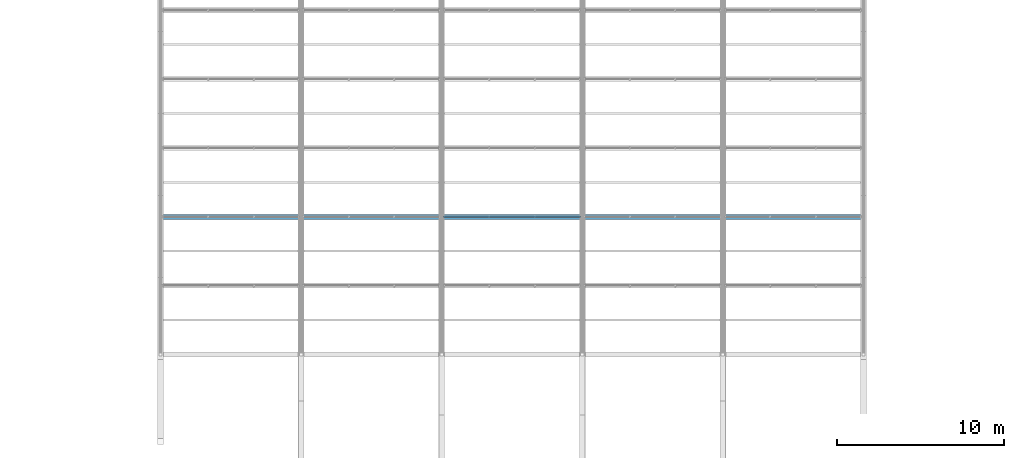
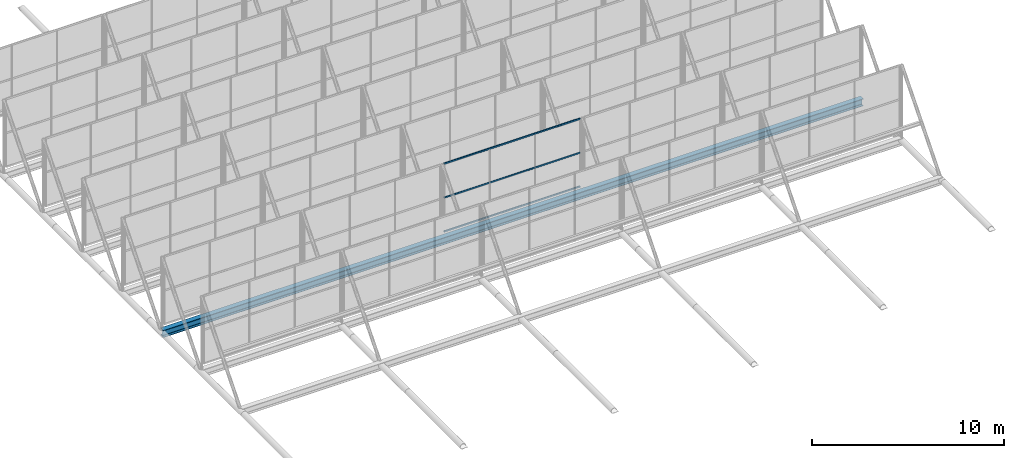
# One storey, part 12 of 77: 3 members, 1 beam, 1 element without a shape of its own.
"""IFC4 building model written with IfcOpenShell, lengths in metres."""

from ifc_helpers import new_model, si_unit, derived_unit, direction, frame, origin, origin_2d, place, context, subcontext, project, spatial, hollow_rectangle, i_section, extrude, material, material_profile, profile_set, type_object, element, aggregate, save


model = new_model("IFC4")

# Units and contexts
model_context = context("Model", 3, precision=1e-05, world=origin(), true_north=direction((0.0, 1.0)))
body_context = subcontext(model_context, "Body", "Model", "MODEL_VIEW")
ifc_project = project(units=[si_unit("LENGTHUNIT", "METRE"), si_unit("AREAUNIT", "SQUARE_METRE"), si_unit("VOLUMEUNIT", "CUBIC_METRE"), si_unit("PLANEANGLEUNIT", "RADIAN"), si_unit("MASSUNIT", "GRAM", prefix="KILO"), derived_unit("THERMALTRANSMITTANCEUNIT", [(si_unit("MASSUNIT", "GRAM", prefix="KILO"), 1), (si_unit("TIMEUNIT", "SECOND"), -3), (si_unit("THERMODYNAMICTEMPERATUREUNIT", "KELVIN"), -1)])], contexts=[model_context])

# Site, building, storey
site_placement = place(None, origin())
site = spatial("IfcSite", under=ifc_project, at=site_placement, CompositionType="ELEMENT")
building_placement = place(site_placement, origin())
building = spatial("IfcBuilding", under=site, at=building_placement, Name="Kharveza Railside Sports Centre", CompositionType="ELEMENT")
storey_placement = place(building_placement, frame((0.0, 0.0, 17.10009765625)))
storey = spatial("IfcBuildingStorey", under=building, at=storey_placement, Name="L04", CompositionType="ELEMENT", Elevation=17.10009765625)

# Beam
ifc_material_1 = material(Name="Steel S355J2", Category="steel")
ifc_material_profile_1 = material_profile(ifc_material_1, i_section(OverallWidth=0.300048828125, OverallDepth=0.449951171875, WebThickness=0.013916015625, FlangeThickness=0.02587890625, FilletRadius=0.027099609375, at=origin_2d()), Name="HEB 450")
ifc_profile_set_1 = profile_set([ifc_material_profile_1], Name="Steel S355J2")
beam_type = type_object("IfcBeamType", Name="BM-G06", PredefinedType="T_BEAM", material=ifc_profile_set_1)
beam_placement = place(storey_placement, frame((33.60009765625, 44.228515625, -1.050048828125), z_axis=(1.0, 0.0, 0.0), x_axis=(0.0, 1.0, 0.0)))
element("IfcBeam", 1, at=beam_placement, inside=storey, type_object=beam_type, Name="BM-V1SAW-VAL-3", PredefinedType="T_BEAM", context=body_context, shape_type="SweptSolid", body=[
    extrude(i_section(OverallWidth=0.300048828125, OverallDepth=0.449951171875, WebThickness=0.013916015625, FlangeThickness=0.02587890625, FilletRadius=0.027099609375, at=origin_2d()), origin(), (0.0, 0.0, 1.0), 42.0),
])

# Curtain wall, members
ifc_material_2 = material(Name="Low-E solar-control laminated glass", Category="glass")
curtain_wall_type = type_object("IfcCurtainWallType", Name="CW-NL01", PredefinedType="NOTDEFINED", material=ifc_material_2)
curtain_wall_placement = place(storey_placement, origin())
curtain_wall = element("IfcCurtainWall", 2, at=curtain_wall_placement, inside=storey, type_object=curtain_wall_type, Name="CW-V1NL-2-3", PredefinedType="NOTDEFINED")
ifc_material_3 = material(Name="Anodised aluminium 6063-T6", Category="aluminium")
ifc_material_profile_2 = material_profile(ifc_material_3, hollow_rectangle(XDim=0.06005859375, YDim=0.10009765625, WallThickness=0.00390625, InnerFilletRadius=0.00390625, OuterFilletRadius=0.008056640625, at=origin_2d()), Name="RHS 60x100x4.0")
ifc_profile_set_2 = profile_set([ifc_material_profile_2], Name="Anodised aluminium 6063-T6")
member_type = type_object("IfcMemberType", Name="CW-TR05", PredefinedType="USERDEFINED", material=ifc_profile_set_2)
member_1_placement = place(storey_placement, frame((50.52001953125, 44.228515625, -0.550048828125), z_axis=(1.0, 0.0, 0.0), x_axis=(0.0, 1.0, 0.0)))
member_1 = element("IfcMember", 3, at=member_1_placement, type_object=member_type, Name="CW-V1NL-2-3-TR1", ObjectType="TRANSOM", PredefinedType="USERDEFINED", context=body_context, shape_type="SweptSolid", body=[
    extrude(hollow_rectangle(XDim=0.06005859375, YDim=0.10009765625, WallThickness=0.00390625, InnerFilletRadius=0.00390625, OuterFilletRadius=0.008056640625, at=origin_2d()), origin(), (0.0, 0.0, 1.0), 8.159912109375),
])
member_2_placement = place(storey_placement, frame((50.52001953125, 44.228515625, 1.599853515625), z_axis=(1.0, 0.0, 0.0), x_axis=(0.0, 1.0, 0.0)))
member_2 = element("IfcMember", 4, at=member_2_placement, type_object=member_type, Name="CW-V1NL-2-3-TR2", ObjectType="TRANSOM", PredefinedType="USERDEFINED", context=body_context, shape_type="SweptSolid", body=[
    extrude(hollow_rectangle(XDim=0.06005859375, YDim=0.10009765625, WallThickness=0.00390625, InnerFilletRadius=0.00390625, OuterFilletRadius=0.008056640625, at=origin_2d()), origin(), (0.0, 0.0, 1.0), 8.159912109375),
])
member_3_placement = place(storey_placement, frame((50.52001953125, 44.228515625, 3.75), z_axis=(1.0, 0.0, 0.0), x_axis=(0.0, 1.0, 0.0)))
member_3 = element("IfcMember", 5, at=member_3_placement, type_object=member_type, Name="CW-V1NL-2-3-TR3", ObjectType="TRANSOM", PredefinedType="USERDEFINED", context=body_context, shape_type="SweptSolid", body=[
    extrude(hollow_rectangle(XDim=0.06005859375, YDim=0.10009765625, WallThickness=0.00390625, InnerFilletRadius=0.00390625, OuterFilletRadius=0.008056640625, at=origin_2d()), origin(), (0.0, 0.0, 1.0), 8.159912109375),
])
aggregate(curtain_wall, [member_1, member_2, member_3])

save(model, "model.ifc")
